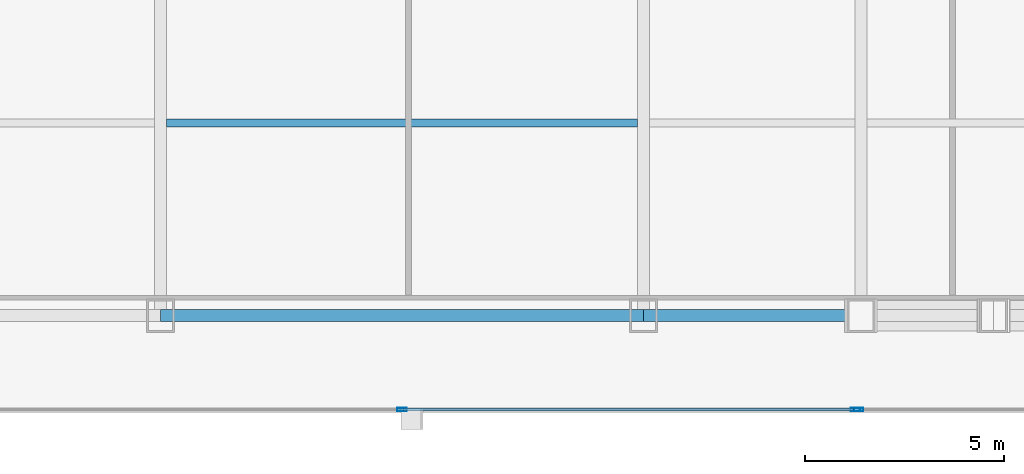
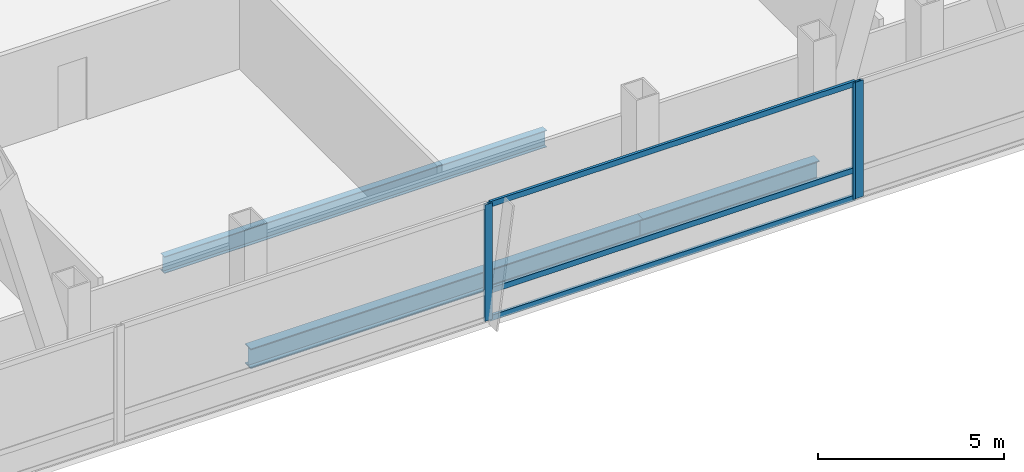
# One storey, part 14 of 32: 6 members, 3 beams, 2 elements without a shape of their own.
"""IFC4 building model written with IfcOpenShell, lengths in metres."""

from ifc_helpers import new_model, si_unit, direction, frame, origin, origin_2d, place, context, subcontext, project, spatial, hollow_rectangle, i_section, extrude, material, material_profile, profile_set, type_object, element, aggregate, save


model = new_model("IFC4")

# Units and contexts
model_context = context("Model", 3, precision=1e-05, world=origin(), true_north=direction((0.0, 1.0)))
body_context = subcontext(model_context, "Body", "Model", "MODEL_VIEW")
ifc_project = project(units=[si_unit("LENGTHUNIT", "METRE"), si_unit("AREAUNIT", "SQUARE_METRE"), si_unit("VOLUMEUNIT", "CUBIC_METRE"), si_unit("PLANEANGLEUNIT", "RADIAN"), si_unit("MASSUNIT", "GRAM", prefix="KILO")], contexts=[model_context])

# Site, building, storey
site_placement = place(None, origin())
site = spatial("IfcSite", under=ifc_project, at=site_placement, CompositionType="ELEMENT")
building_placement = place(site_placement, origin())
building = spatial("IfcBuilding", under=site, at=building_placement, Name="Khoronbel Lancet Exchange", CompositionType="ELEMENT")
storey_placement = place(building_placement, frame((0.0, 0.0, 94.60009765625)))
storey = spatial("IfcBuildingStorey", under=building, at=storey_placement, Name="L22", CompositionType="ELEMENT", Elevation=94.60009765625)

# Beams
ifc_material_1 = material(Name="Steel S355", Category="steel")
ifc_material_profile_1 = material_profile(ifc_material_1, i_section(OverallWidth=0.2099609375, OverallDepth=0.550048828125, WebThickness=0.010986328125, FlangeThickness=0.01708984375, at=origin_2d()), Name="IPE 550")
ifc_profile_set_1 = profile_set([ifc_material_profile_1], Name="Steel S355")
beam_type_1 = type_object("IfcBeamType", Name="BM-BJ2", PredefinedType="JOIST", material=ifc_profile_set_1)
beam_1_placement = place(storey_placement, frame((30.52490234375, 15.0, -0.455078125), z_axis=(1.0, 0.0, 0.0), x_axis=(0.0, 1.0, 0.0)))
element("IfcBeam", 1, at=beam_1_placement, inside=storey, type_object=beam_type_1, Name="Level L22 secondary composite joist J03", PredefinedType="JOIST", context=body_context, shape_type="SweptSolid", body=[
    extrude(i_section(OverallWidth=0.2099609375, OverallDepth=0.550048828125, WebThickness=0.010986328125, FlangeThickness=0.01708984375, at=origin_2d()), origin(), (0.0, 0.0, 1.0), 11.85009765625),
])
ifc_material_profile_2 = material_profile(ifc_material_1, i_section(OverallWidth=0.300048828125, OverallDepth=0.64990234375, WebThickness=0.01611328125, FlangeThickness=0.031005859375, at=origin_2d()), Name="HEB 650")
ifc_profile_set_2 = profile_set([ifc_material_profile_2], Name="Steel S355")
beam_type_2 = type_object("IfcBeamType", Name="BM-BSP1", PredefinedType="SPANDREL", material=ifc_profile_set_2)
beam_2_placement = place(storey_placement, frame((30.375, 10.14990234375, -0.505126953125), z_axis=(1.0, 0.0, 0.0), x_axis=(0.0, 1.0, 0.0)))
element("IfcBeam", 2, at=beam_2_placement, inside=storey, type_object=beam_type_2, Name="Level L22 perimeter spandrel beam SP05", PredefinedType="SPANDREL", context=body_context, shape_type="SweptSolid", body=[
    extrude(i_section(OverallWidth=0.300048828125, OverallDepth=0.64990234375, WebThickness=0.01611328125, FlangeThickness=0.031005859375, at=origin_2d()), origin(), (0.0, 0.0, 1.0), 12.14990234375),
])
beam_3_placement = place(storey_placement, frame((42.52490234375, 10.14990234375, -0.505126953125), z_axis=(1.0, 0.0, 0.0), x_axis=(0.0, 1.0, 0.0)))
element("IfcBeam", 3, at=beam_3_placement, inside=storey, type_object=beam_type_2, Name="Level L22 perimeter spandrel beam SP06", PredefinedType="SPANDREL", context=body_context, shape_type="SweptSolid", body=[
    extrude(i_section(OverallWidth=0.300048828125, OverallDepth=0.64990234375, WebThickness=0.01611328125, FlangeThickness=0.031005859375, at=origin_2d()), origin(), (0.0, 0.0, 1.0), 5.47509765625),
])

# Curtain wall, members
ifc_material_2 = material(Name="Low-E Solar Control Insulating Glass", Category="glass")
curtain_wall_type = type_object("IfcCurtainWallType", Name="CW-2", PredefinedType="NOTDEFINED", material=ifc_material_2)
curtain_wall_1_placement = place(storey_placement, origin())
curtain_wall_1 = element("IfcCurtainWall", 4, at=curtain_wall_1_placement, inside=storey, type_object=curtain_wall_type, Name="Unitised curtain wall CW-L22-SCV", PredefinedType="NOTDEFINED")
ifc_material_3 = material(Name="Bronze-Anodised Aluminium 6063-T6", Category="aluminium")
ifc_material_profile_3 = material_profile(ifc_material_3, hollow_rectangle(XDim=0.0849609375, YDim=0.239990234375, WallThickness=0.006103515625, at=origin_2d()), Name="ALU MULLION 85x240")
ifc_profile_set_3 = profile_set([ifc_material_profile_3], Name="Bronze-Anodised Aluminium 6063-T6")
member_type_1 = type_object("IfcMemberType", Name="MEM-CWM1", PredefinedType="MULLION", material=ifc_profile_set_3)
member_1_placement = place(storey_placement, frame((36.449951171875, 7.7900390625, 0.0), z_axis=(0.0, 0.0, 1.0), x_axis=(0.0, 1.0, 0.0)))
member_1 = element("IfcMember", 5, at=member_1_placement, type_object=member_type_1, Name="CW2 mullion 2", PredefinedType="MULLION", context=body_context, shape_type="SweptSolid", body=[
    extrude(hollow_rectangle(XDim=0.0849609375, YDim=0.239990234375, WallThickness=0.006103515625, at=origin_2d()), origin(), (0.0, 0.0, 1.0), 3.81982421875),
])
member_2_placement = place(storey_placement, frame((47.857421875, 7.7900390625, 0.0), z_axis=(0.0, 0.0, 1.0), x_axis=(0.0, 1.0, 0.0)))
member_2 = element("IfcMember", 6, at=member_2_placement, type_object=member_type_1, Name="CW2 mullion 3", PredefinedType="MULLION", context=body_context, shape_type="SweptSolid", body=[
    extrude(hollow_rectangle(XDim=0.0849609375, YDim=0.239990234375, WallThickness=0.006103515625, at=origin_2d()), origin(), (0.0, 0.0, 1.0), 3.81982421875),
])

# Curtain wall, member
curtain_wall_2_placement = place(storey_placement, origin())
curtain_wall_2 = element("IfcCurtainWall", 7, at=curtain_wall_2_placement, inside=storey, type_object=curtain_wall_type, Name="Unitised curtain wall CW-L22-SEB", PredefinedType="NOTDEFINED")
member_3_placement = place(storey_placement, frame((47.9423828125, 7.7900390625, 0.0), z_axis=(0.0, 0.0, 1.0), x_axis=(0.0, 1.0, 0.0)))
member_3 = element("IfcMember", 8, at=member_3_placement, type_object=member_type_1, Name="CW2 mullion 1", PredefinedType="MULLION", context=body_context, shape_type="SweptSolid", body=[
    extrude(hollow_rectangle(XDim=0.0849609375, YDim=0.239990234375, WallThickness=0.006103515625, at=origin_2d()), origin(), (0.0, 0.0, 1.0), 3.81982421875),
])
aggregate(curtain_wall_2, [member_3])

# Member
ifc_material_profile_4 = material_profile(ifc_material_3, hollow_rectangle(XDim=0.0849609375, YDim=0.179931640625, WallThickness=0.0048828125, at=origin_2d()), Name="ALU TRANSOM 85x180")
ifc_profile_set_4 = profile_set([ifc_material_profile_4], Name="Bronze-Anodised Aluminium 6063-T6")
member_type_2 = type_object("IfcMemberType", Name="MEM-CWT1", PredefinedType="USERDEFINED", material=ifc_profile_set_4)
member_4_placement = place(storey_placement, frame((36.492431640625, 7.7900390625, 0.04248046875), z_axis=(1.0, 0.0, 0.0), x_axis=(0.0, 1.0, 0.0)))
member_4 = element("IfcMember", 9, at=member_4_placement, type_object=member_type_2, Name="CW2 transom 2.1", ObjectType="TRANSOM", PredefinedType="USERDEFINED", context=body_context, shape_type="SweptSolid", body=[
    extrude(hollow_rectangle(XDim=0.0849609375, YDim=0.179931640625, WallThickness=0.0048828125, at=origin_2d()), origin(), (0.0, 0.0, 1.0), 11.322509765625),
])

member_5_placement = place(storey_placement, frame((36.492431640625, 7.7900390625, 0.949951171875), z_axis=(1.0, 0.0, 0.0), x_axis=(0.0, 1.0, 0.0)))
member_5 = element("IfcMember", 10, at=member_5_placement, type_object=member_type_2, Name="CW2 transom 2.2", ObjectType="TRANSOM", PredefinedType="USERDEFINED", context=body_context, shape_type="SweptSolid", body=[
    extrude(hollow_rectangle(XDim=0.0849609375, YDim=0.179931640625, WallThickness=0.0048828125, at=origin_2d()), origin(), (0.0, 0.0, 1.0), 11.322509765625),
])

member_6_placement = place(storey_placement, frame((36.492431640625, 7.7900390625, 3.77734375), z_axis=(1.0, 0.0, 0.0), x_axis=(0.0, 1.0, 0.0)))
member_6 = element("IfcMember", 11, at=member_6_placement, type_object=member_type_2, Name="CW2 transom 2.3", ObjectType="TRANSOM", PredefinedType="USERDEFINED", context=body_context, shape_type="SweptSolid", body=[
    extrude(hollow_rectangle(XDim=0.0849609375, YDim=0.179931640625, WallThickness=0.0048828125, at=origin_2d()), origin(), (0.0, 0.0, 1.0), 11.322509765625),
])

aggregate(curtain_wall_1, [member_1, member_2, member_4, member_5, member_6])

save(model, "model.ifc")
